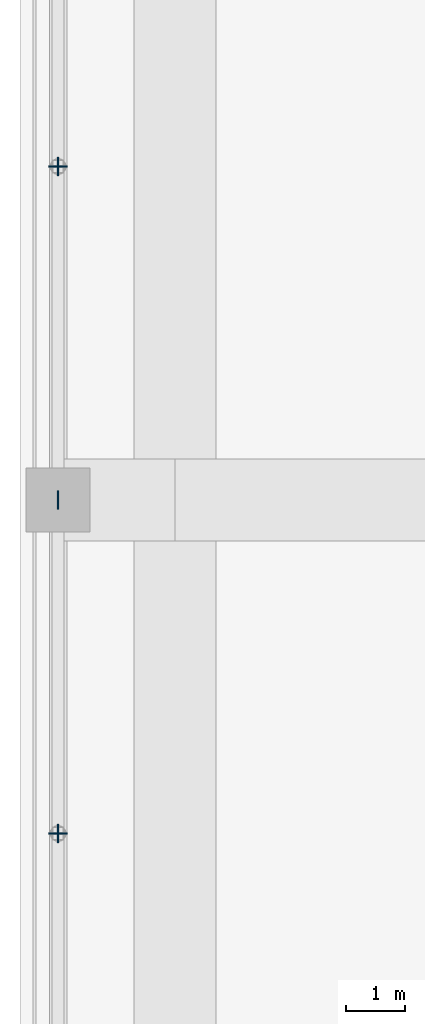
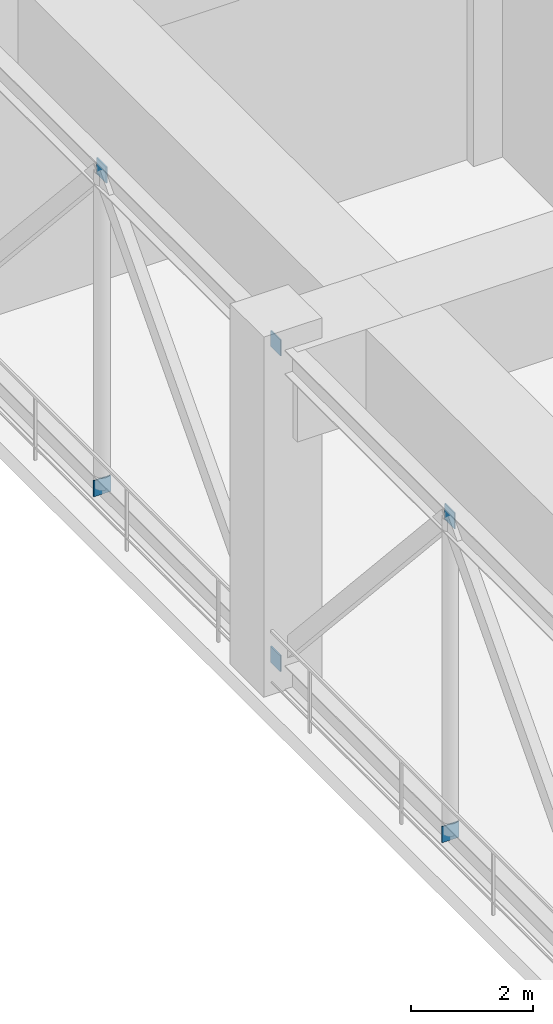
# One storey, part 14 of 20: 6 discrete accessories.
"""IFC4 building model written with IfcOpenShell, lengths in metres."""

from ifc_helpers import new_model, si_unit, direction, frame, origin, origin_2d, place, context, subcontext, project, spatial, rectangle, extrude, material, layer, layer_set, type_object, element, save


model = new_model("IFC4")

# Units and contexts
model_context = context("Model", 3, precision=1e-05, world=origin(), true_north=direction((0.0, 1.0)))
body_context = subcontext(model_context, "Body", "Model", "MODEL_VIEW")
ifc_project = project(units=[si_unit("LENGTHUNIT", "METRE"), si_unit("AREAUNIT", "SQUARE_METRE"), si_unit("VOLUMEUNIT", "CUBIC_METRE"), si_unit("PLANEANGLEUNIT", "RADIAN"), si_unit("MASSUNIT", "GRAM", prefix="KILO")], contexts=[model_context])

# Site, building, storey
site_placement = place(None, origin())
site = spatial("IfcSite", under=ifc_project, at=site_placement, CompositionType="ELEMENT")
building_placement = place(site_placement, origin())
building = spatial("IfcBuilding", under=site, at=building_placement, Name="Svetorya Sky Lyceum", CompositionType="ELEMENT")
storey_placement = place(building_placement, frame((0.0, 0.0, 136.39990234375)))
storey = spatial("IfcBuildingStorey", under=building, at=storey_placement, Name="L34", CompositionType="ELEMENT", Elevation=136.39990234375)

# Discrete accessories
ifc_material = material(Name="Steel S355", Category="steel")
ifc_layer = layer(ifc_material, 0.02392578125)
ifc_layer_set = layer_set([ifc_layer], Name="Steel S355")
discrete_accessory_type = type_object("IfcDiscreteAccessoryType", Name="ACC-GUSSET-24", PredefinedType="BRACKET", material=ifc_layer_set)
for number, where, z_axis, x_axis, name in (
    (1, (15.050048828125, 28.199951171875, 0.0859375), (0.0, 0.0, 1.0), (1.0, 0.0, 0.0), "L34 Brace Node Gusset Plate 99"),
    (2, (15.050048828125, 28.199951171875, 6.39404296875), (0.0, 0.0, 1.0), (1.0, 0.0, 0.0), "L34 Brace Node Gusset Plate 100"),
    (3, (15.050048828125, 22.5, 6.39404296875), (0.0, 0.0, 1.0), (1.0, 0.0, 0.0), "L34 Brace Node Gusset Plate 101"),
):
    element("IfcDiscreteAccessory", number, at=place(storey_placement, frame(where, z_axis=z_axis, x_axis=x_axis)), inside=storey, type_object=discrete_accessory_type, Name=name, PredefinedType="BRACKET", context=body_context, shape_type="SweptSolid", body=[
        extrude(rectangle(XDim=0.02392578125, YDim=0.320068359375, at=origin_2d()), origin(), (0.0, 0.0, 1.0), 0.320068359375),
    ])
discrete_accessory_1_placement = place(storey_placement, frame((15.050048828125, 22.5, 0.0859375), z_axis=(0.0, 0.0, 1.0), x_axis=(1.0, 0.0, 0.0)))
element("IfcDiscreteAccessory", 4, at=discrete_accessory_1_placement, inside=storey, type_object=discrete_accessory_type, Name="L34 Brace Node Gusset Plate 102", PredefinedType="BRACKET", context=body_context, shape_type="SweptSolid", body=[
    extrude(rectangle(XDim=0.320068359375, YDim=0.02392578125, at=origin_2d()), origin(), (0.0, 0.0, 1.0), 0.320068359375),
])
discrete_accessory_2_placement = place(storey_placement, frame((15.050048828125, 33.89990234375, 6.39404296875), z_axis=(0.0, 0.0, 1.0), x_axis=(1.0, 0.0, 0.0)))
element("IfcDiscreteAccessory", 5, at=discrete_accessory_2_placement, inside=storey, type_object=discrete_accessory_type, Name="L34 Brace Node Gusset Plate 105", PredefinedType="BRACKET", context=body_context, shape_type="SweptSolid", body=[
    extrude(rectangle(XDim=0.02392578125, YDim=0.320068359375, at=origin_2d()), origin(), (0.0, 0.0, 1.0), 0.320068359375),
])
discrete_accessory_3_placement = place(storey_placement, frame((15.050048828125, 33.89990234375, 0.0859375), z_axis=(0.0, 0.0, 1.0), x_axis=(1.0, 0.0, 0.0)))
element("IfcDiscreteAccessory", 6, at=discrete_accessory_3_placement, inside=storey, type_object=discrete_accessory_type, Name="L34 Brace Node Gusset Plate 106", PredefinedType="BRACKET", context=body_context, shape_type="SweptSolid", body=[
    extrude(rectangle(XDim=0.320068359375, YDim=0.02392578125, at=origin_2d()), origin(), (0.0, 0.0, 1.0), 0.320068359375),
])

save(model, "model.ifc")
